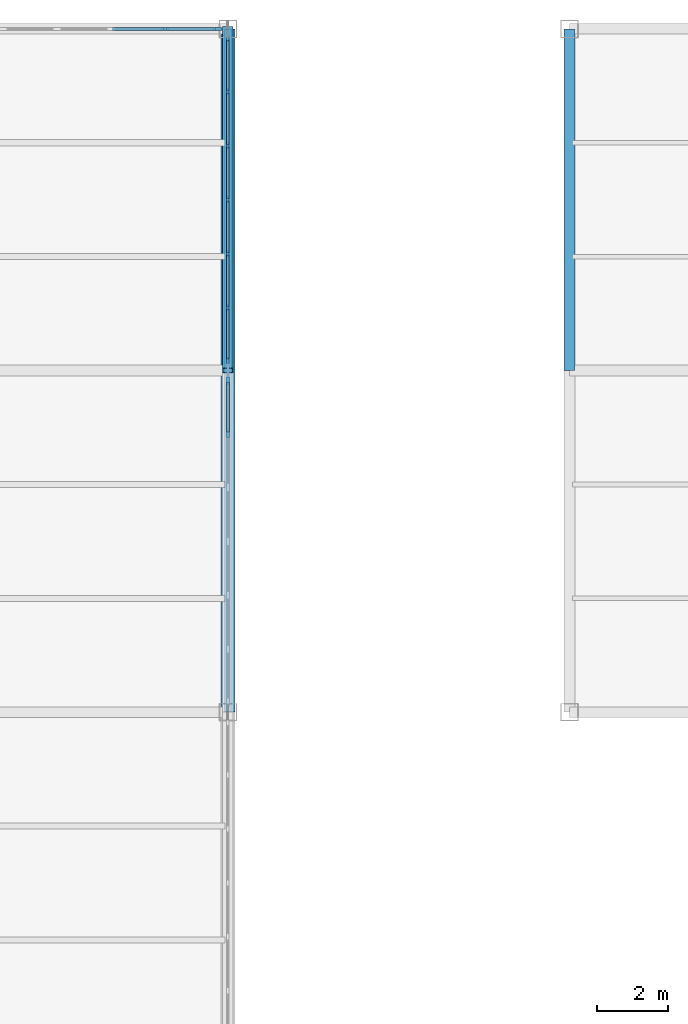
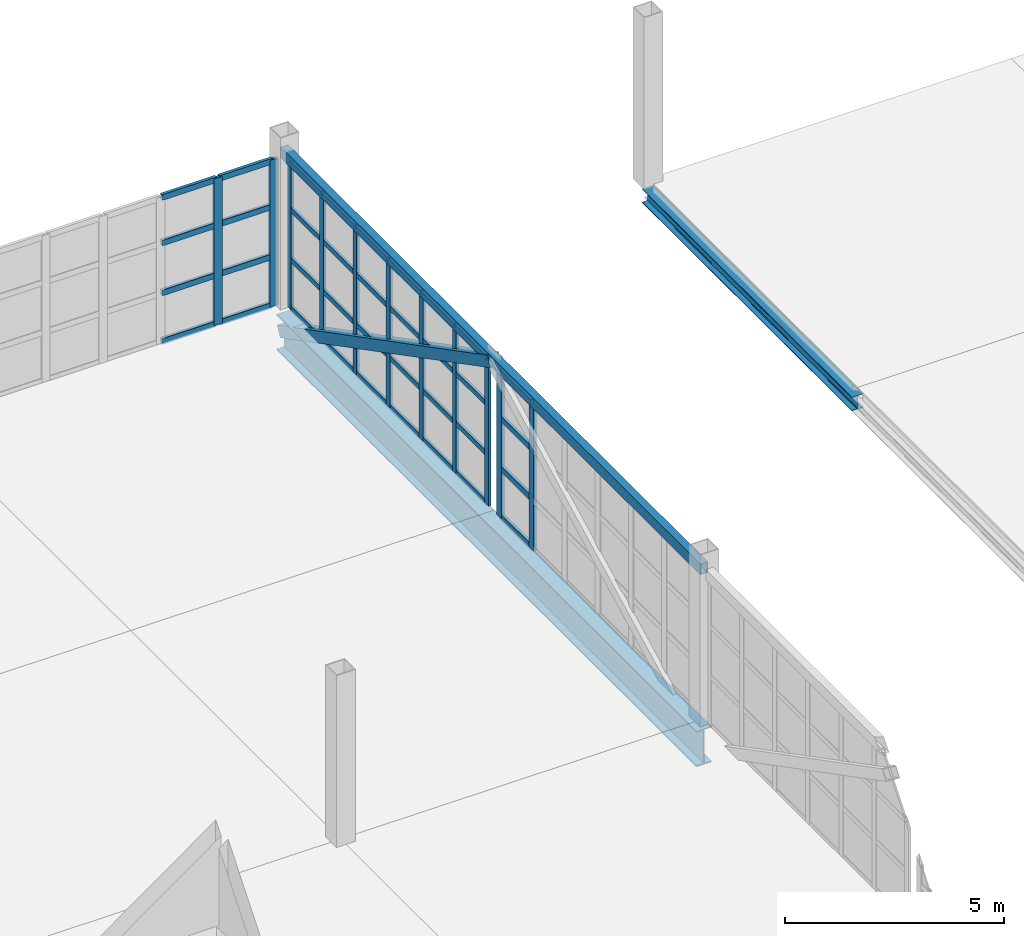
# One storey, part 57 of 120: 49 members, 2 beams, 3 elements without a shape of their own.
"""IFC4 building model written with IfcOpenShell, lengths in metres."""

from ifc_helpers import new_model, si_unit, direction, frame, origin, origin_2d, place, context, subcontext, project, spatial, rectangle, hollow_rectangle, i_section, extrude, material, layer, layer_set, material_profile, profile_set, type_object, element, aggregate, save


model = new_model("IFC4")

# Units and contexts
model_context = context("Model", 3, precision=1e-05, world=origin(), true_north=direction((0.0, 1.0)))
body_context = subcontext(model_context, "Body", "Model", "MODEL_VIEW")
ifc_project = project(units=[si_unit("LENGTHUNIT", "METRE"), si_unit("AREAUNIT", "SQUARE_METRE"), si_unit("VOLUMEUNIT", "CUBIC_METRE"), si_unit("PLANEANGLEUNIT", "RADIAN"), si_unit("MASSUNIT", "GRAM", prefix="KILO")], contexts=[model_context])

# Site, building, storey
site_placement = place(None, origin())
site = spatial("IfcSite", under=ifc_project, at=site_placement, CompositionType="ELEMENT")
building_placement = place(site_placement, origin())
building = spatial("IfcBuilding", under=site, at=building_placement, Name="Zarnetskaya Central Station", CompositionType="ELEMENT")
storey_placement = place(building_placement, frame((0.0, 0.0, 5.39990234375)))
storey = spatial("IfcBuildingStorey", under=building, at=storey_placement, Name="L01", CompositionType="ELEMENT", Elevation=5.39990234375)

# Curtain wall, members
ifc_material_1 = material(Name="Low-E insulated glass", Category="glass")
ifc_layer = layer(ifc_material_1, 0.172119140625, Name="Low-E insulated glass", Category="glass")
ifc_layer_set = layer_set([ifc_layer], Name="Low-E insulated glass")
curtain_wall_type = type_object("IfcCurtainWallType", Name="CW-SYS-09", PredefinedType="USERDEFINED", material=ifc_layer_set)
curtain_wall_1_placement = place(storey_placement, origin())
curtain_wall_1 = element("IfcCurtainWall", 1, at=curtain_wall_1_placement, inside=storey, type_object=curtain_wall_type, Name="Curtain wall CW-L01-157", ObjectType="CURTAIN WALL", PredefinedType="USERDEFINED")
ifc_material_2 = material(Name="Anodised aluminium", Category="aluminium")
ifc_material_profile_1 = material_profile(ifc_material_2, rectangle(XDim=0.070068359375, YDim=0.179931640625, at=origin_2d()), Name="ALU MULL 70x180")
ifc_profile_set_1 = profile_set([ifc_material_profile_1], Name="Anodised aluminium")
member_type_1 = type_object("IfcMemberType", Name="CW-MULL-180", PredefinedType="MULLION", material=ifc_profile_set_1)
member_1_placement = place(storey_placement, frame((115.199951171875, 124.514892578125, 0.0), z_axis=(0.0, 0.0, 1.0), x_axis=(1.0, 0.0, 0.0)))
member_1 = element("IfcMember", 2, at=member_1_placement, type_object=member_type_1, Name="CW-07 mullion 1", PredefinedType="MULLION", context=body_context, shape_type="SweptSolid", body=[
    extrude(rectangle(XDim=0.070068359375, YDim=0.179931640625, at=origin_2d()), origin(), (0.0, 0.0, 1.0), 4.10009765625),
])
member_2_placement = place(storey_placement, frame((115.199951171875, 123.033447265625, 0.0), z_axis=(0.0, 0.0, 1.0), x_axis=(1.0, 0.0, 0.0)))
member_2 = element("IfcMember", 3, at=member_2_placement, type_object=member_type_1, Name="CW-07 mullion 2", PredefinedType="MULLION", context=body_context, shape_type="SweptSolid", body=[
    extrude(rectangle(XDim=0.070068359375, YDim=0.179931640625, at=origin_2d()), origin(), (0.0, 0.0, 1.0), 4.10009765625),
])
member_3_placement = place(storey_placement, frame((115.199951171875, 121.5166015625, 0.0), z_axis=(0.0, 0.0, 1.0), x_axis=(1.0, 0.0, 0.0)))
member_3 = element("IfcMember", 4, at=member_3_placement, type_object=member_type_1, Name="CW-07 mullion 3", PredefinedType="MULLION", context=body_context, shape_type="SweptSolid", body=[
    extrude(rectangle(XDim=0.070068359375, YDim=0.179931640625, at=origin_2d()), origin(), (0.0, 0.0, 1.0), 4.10009765625),
])
member_4_placement = place(storey_placement, frame((115.199951171875, 120.0, 0.0), z_axis=(0.0, 0.0, 1.0), x_axis=(1.0, 0.0, 0.0)))
member_4 = element("IfcMember", 5, at=member_4_placement, type_object=member_type_1, Name="CW-07 mullion 4", PredefinedType="MULLION", context=body_context, shape_type="SweptSolid", body=[
    extrude(rectangle(XDim=0.070068359375, YDim=0.179931640625, at=origin_2d()), origin(), (0.0, 0.0, 1.0), 4.10009765625),
])
member_5_placement = place(storey_placement, frame((115.199951171875, 118.4833984375, 0.0), z_axis=(0.0, 0.0, 1.0), x_axis=(1.0, 0.0, 0.0)))
member_5 = element("IfcMember", 6, at=member_5_placement, type_object=member_type_1, Name="CW-07 mullion 5", PredefinedType="MULLION", context=body_context, shape_type="SweptSolid", body=[
    extrude(rectangle(XDim=0.070068359375, YDim=0.179931640625, at=origin_2d()), origin(), (0.0, 0.0, 1.0), 4.10009765625),
])
member_6_placement = place(storey_placement, frame((115.199951171875, 116.966552734375, 0.0), z_axis=(0.0, 0.0, 1.0), x_axis=(1.0, 0.0, 0.0)))
member_6 = element("IfcMember", 7, at=member_6_placement, type_object=member_type_1, Name="CW-07 mullion 6", PredefinedType="MULLION", context=body_context, shape_type="SweptSolid", body=[
    extrude(rectangle(XDim=0.070068359375, YDim=0.179931640625, at=origin_2d()), origin(), (0.0, 0.0, 1.0), 4.10009765625),
])
member_7_placement = place(storey_placement, frame((115.199951171875, 115.485107421875, 0.0), z_axis=(0.0, 0.0, 1.0), x_axis=(1.0, 0.0, 0.0)))
member_7 = element("IfcMember", 8, at=member_7_placement, type_object=member_type_1, Name="CW-07 mullion 7", PredefinedType="MULLION", context=body_context, shape_type="SweptSolid", body=[
    extrude(rectangle(XDim=0.070068359375, YDim=0.179931640625, at=origin_2d()), origin(), (0.0, 0.0, 1.0), 4.10009765625),
])

curtain_wall_2_placement = place(storey_placement, origin())
curtain_wall_2 = element("IfcCurtainWall", 9, at=curtain_wall_2_placement, inside=storey, type_object=curtain_wall_type, Name="Curtain wall CW-L01-156", ObjectType="CURTAIN WALL", PredefinedType="USERDEFINED")
ifc_material_profile_2 = material_profile(ifc_material_2, rectangle(XDim=0.080078125, YDim=0.219970703125, at=origin_2d()), Name="ALU MULL 80x220")
ifc_profile_set_2 = profile_set([ifc_material_profile_2], Name="Anodised aluminium")
member_type_2 = type_object("IfcMemberType", Name="CW-MULL-220", PredefinedType="MULLION", material=ifc_profile_set_2)
member_8_placement = place(storey_placement, frame((113.433349609375, 124.800048828125, 0.0), z_axis=(0.0, 0.0, 1.0), x_axis=(0.0, 1.0, 0.0)))
member_8 = element("IfcMember", 10, at=member_8_placement, type_object=member_type_2, Name="CW-07 mullion 6", PredefinedType="MULLION", context=body_context, shape_type="SweptSolid", body=[
    extrude(rectangle(XDim=0.080078125, YDim=0.219970703125, at=origin_2d()), origin(), (0.0, 0.0, 1.0), 4.10009765625),
])
member_9_placement = place(storey_placement, frame((114.909912109375, 124.800048828125, 0.0), z_axis=(0.0, 0.0, 1.0), x_axis=(0.0, 1.0, 0.0)))
member_9 = element("IfcMember", 11, at=member_9_placement, type_object=member_type_2, Name="CW-07 mullion 7", PredefinedType="MULLION", context=body_context, shape_type="SweptSolid", body=[
    extrude(rectangle(XDim=0.080078125, YDim=0.219970703125, at=origin_2d()), origin(), (0.0, 0.0, 1.0), 4.10009765625),
])

curtain_wall_3_placement = place(storey_placement, origin())
curtain_wall_3 = element("IfcCurtainWall", 12, at=curtain_wall_3_placement, inside=storey, type_object=curtain_wall_type, Name="Curtain wall CW-L01-158", ObjectType="CURTAIN WALL", PredefinedType="USERDEFINED")
member_10_placement = place(storey_placement, frame((115.199951171875, 114.909912109375, 0.0), z_axis=(0.0, 0.0, 1.0), x_axis=(1.0, 0.0, 0.0)))
member_10 = element("IfcMember", 13, at=member_10_placement, type_object=member_type_2, Name="CW-07 mullion 1", PredefinedType="MULLION", context=body_context, shape_type="SweptSolid", body=[
    extrude(rectangle(XDim=0.080078125, YDim=0.219970703125, at=origin_2d()), origin(), (0.0, 0.0, 1.0), 4.10009765625),
])
member_11_placement = place(storey_placement, frame((115.199951171875, 113.433349609375, 0.0), z_axis=(0.0, 0.0, 1.0), x_axis=(1.0, 0.0, 0.0)))
member_11 = element("IfcMember", 14, at=member_11_placement, type_object=member_type_2, Name="CW-07 mullion 2", PredefinedType="MULLION", context=body_context, shape_type="SweptSolid", body=[
    extrude(rectangle(XDim=0.080078125, YDim=0.219970703125, at=origin_2d()), origin(), (0.0, 0.0, 1.0), 4.10009765625),
])

# Member
ifc_material_profile_3 = material_profile(ifc_material_2, rectangle(XDim=0.070068359375, YDim=0.139892578125, at=origin_2d()), Name="ALU TRAN 70x140")
ifc_profile_set_3 = profile_set([ifc_material_profile_3], Name="Anodised aluminium")
member_type_3 = type_object("IfcMemberType", Name="CW-TRAN-140", PredefinedType="USERDEFINED", material=ifc_profile_set_3)
member_12_placement = place(storey_placement, frame((115.199951171875, 124.47998046875, 0.03515625), z_axis=(0.0, -1.0, 0.0), x_axis=(1.0, 0.0, 0.0)))
member_12 = element("IfcMember", 15, at=member_12_placement, type_object=member_type_3, Name="CW-07 transom 1.1", ObjectType="TRANSOM", PredefinedType="USERDEFINED", context=body_context, shape_type="SweptSolid", body=[
    extrude(rectangle(XDim=0.070068359375, YDim=0.139892578125, at=origin_2d()), origin(), (0.0, 0.0, 1.0), 1.41162109375),
])

member_13_placement = place(storey_placement, frame((115.199951171875, 124.47998046875, 1.39404296875), z_axis=(0.0, -1.0, 0.0), x_axis=(1.0, 0.0, 0.0)))
member_13 = element("IfcMember", 16, at=member_13_placement, type_object=member_type_3, Name="CW-07 transom 1.2", ObjectType="TRANSOM", PredefinedType="USERDEFINED", context=body_context, shape_type="SweptSolid", body=[
    extrude(rectangle(XDim=0.070068359375, YDim=0.139892578125, at=origin_2d()), origin(), (0.0, 0.0, 1.0), 1.41162109375),
])

member_14_placement = place(storey_placement, frame((115.199951171875, 124.47998046875, 2.7880859375), z_axis=(0.0, -1.0, 0.0), x_axis=(1.0, 0.0, 0.0)))
member_14 = element("IfcMember", 17, at=member_14_placement, type_object=member_type_3, Name="CW-07 transom 1.3", ObjectType="TRANSOM", PredefinedType="USERDEFINED", context=body_context, shape_type="SweptSolid", body=[
    extrude(rectangle(XDim=0.070068359375, YDim=0.139892578125, at=origin_2d()), origin(), (0.0, 0.0, 1.0), 1.41162109375),
])

member_15_placement = place(storey_placement, frame((115.199951171875, 124.47998046875, 4.065185546875), z_axis=(0.0, -1.0, 0.0), x_axis=(1.0, 0.0, 0.0)))
member_15 = element("IfcMember", 18, at=member_15_placement, type_object=member_type_3, Name="CW-07 transom 1.4", ObjectType="TRANSOM", PredefinedType="USERDEFINED", context=body_context, shape_type="SweptSolid", body=[
    extrude(rectangle(XDim=0.070068359375, YDim=0.139892578125, at=origin_2d()), origin(), (0.0, 0.0, 1.0), 1.41162109375),
])

member_16_placement = place(storey_placement, frame((115.199951171875, 122.998291015625, 0.03515625), z_axis=(0.0, -1.0, 0.0), x_axis=(1.0, 0.0, 0.0)))
member_16 = element("IfcMember", 19, at=member_16_placement, type_object=member_type_3, Name="CW-07 transom 2.1", ObjectType="TRANSOM", PredefinedType="USERDEFINED", context=body_context, shape_type="SweptSolid", body=[
    extrude(rectangle(XDim=0.070068359375, YDim=0.139892578125, at=origin_2d()), origin(), (0.0, 0.0, 1.0), 1.446533203125),
])

member_17_placement = place(storey_placement, frame((115.199951171875, 122.998291015625, 1.39404296875), z_axis=(0.0, -1.0, 0.0), x_axis=(1.0, 0.0, 0.0)))
member_17 = element("IfcMember", 20, at=member_17_placement, type_object=member_type_3, Name="CW-07 transom 2.2", ObjectType="TRANSOM", PredefinedType="USERDEFINED", context=body_context, shape_type="SweptSolid", body=[
    extrude(rectangle(XDim=0.070068359375, YDim=0.139892578125, at=origin_2d()), origin(), (0.0, 0.0, 1.0), 1.446533203125),
])

member_18_placement = place(storey_placement, frame((115.199951171875, 122.998291015625, 2.7880859375), z_axis=(0.0, -1.0, 0.0), x_axis=(1.0, 0.0, 0.0)))
member_18 = element("IfcMember", 21, at=member_18_placement, type_object=member_type_3, Name="CW-07 transom 2.3", ObjectType="TRANSOM", PredefinedType="USERDEFINED", context=body_context, shape_type="SweptSolid", body=[
    extrude(rectangle(XDim=0.070068359375, YDim=0.139892578125, at=origin_2d()), origin(), (0.0, 0.0, 1.0), 1.446533203125),
])

member_19_placement = place(storey_placement, frame((115.199951171875, 122.998291015625, 4.065185546875), z_axis=(0.0, -1.0, 0.0), x_axis=(1.0, 0.0, 0.0)))
member_19 = element("IfcMember", 22, at=member_19_placement, type_object=member_type_3, Name="CW-07 transom 2.4", ObjectType="TRANSOM", PredefinedType="USERDEFINED", context=body_context, shape_type="SweptSolid", body=[
    extrude(rectangle(XDim=0.070068359375, YDim=0.139892578125, at=origin_2d()), origin(), (0.0, 0.0, 1.0), 1.446533203125),
])

member_20_placement = place(storey_placement, frame((115.199951171875, 121.481689453125, 0.03515625), z_axis=(0.0, -1.0, 0.0), x_axis=(1.0, 0.0, 0.0)))
member_20 = element("IfcMember", 23, at=member_20_placement, type_object=member_type_3, Name="CW-07 transom 3.1", ObjectType="TRANSOM", PredefinedType="USERDEFINED", context=body_context, shape_type="SweptSolid", body=[
    extrude(rectangle(XDim=0.070068359375, YDim=0.139892578125, at=origin_2d()), origin(), (0.0, 0.0, 1.0), 1.44677734375),
])

member_21_placement = place(storey_placement, frame((115.199951171875, 121.481689453125, 1.39404296875), z_axis=(0.0, -1.0, 0.0), x_axis=(1.0, 0.0, 0.0)))
member_21 = element("IfcMember", 24, at=member_21_placement, type_object=member_type_3, Name="CW-07 transom 3.2", ObjectType="TRANSOM", PredefinedType="USERDEFINED", context=body_context, shape_type="SweptSolid", body=[
    extrude(rectangle(XDim=0.070068359375, YDim=0.139892578125, at=origin_2d()), origin(), (0.0, 0.0, 1.0), 1.44677734375),
])

member_22_placement = place(storey_placement, frame((115.199951171875, 121.481689453125, 2.7880859375), z_axis=(0.0, -1.0, 0.0), x_axis=(1.0, 0.0, 0.0)))
member_22 = element("IfcMember", 25, at=member_22_placement, type_object=member_type_3, Name="CW-07 transom 3.3", ObjectType="TRANSOM", PredefinedType="USERDEFINED", context=body_context, shape_type="SweptSolid", body=[
    extrude(rectangle(XDim=0.070068359375, YDim=0.139892578125, at=origin_2d()), origin(), (0.0, 0.0, 1.0), 1.44677734375),
])

member_23_placement = place(storey_placement, frame((115.199951171875, 121.481689453125, 4.065185546875), z_axis=(0.0, -1.0, 0.0), x_axis=(1.0, 0.0, 0.0)))
member_23 = element("IfcMember", 26, at=member_23_placement, type_object=member_type_3, Name="CW-07 transom 3.4", ObjectType="TRANSOM", PredefinedType="USERDEFINED", context=body_context, shape_type="SweptSolid", body=[
    extrude(rectangle(XDim=0.070068359375, YDim=0.139892578125, at=origin_2d()), origin(), (0.0, 0.0, 1.0), 1.44677734375),
])

member_24_placement = place(storey_placement, frame((115.199951171875, 119.965087890625, 0.03515625), z_axis=(0.0, -1.0, 0.0), x_axis=(1.0, 0.0, 0.0)))
member_24 = element("IfcMember", 27, at=member_24_placement, type_object=member_type_3, Name="CW-07 transom 4.1", ObjectType="TRANSOM", PredefinedType="USERDEFINED", context=body_context, shape_type="SweptSolid", body=[
    extrude(rectangle(XDim=0.070068359375, YDim=0.139892578125, at=origin_2d()), origin(), (0.0, 0.0, 1.0), 1.44677734375),
])

member_25_placement = place(storey_placement, frame((115.199951171875, 119.965087890625, 1.39404296875), z_axis=(0.0, -1.0, 0.0), x_axis=(1.0, 0.0, 0.0)))
member_25 = element("IfcMember", 28, at=member_25_placement, type_object=member_type_3, Name="CW-07 transom 4.2", ObjectType="TRANSOM", PredefinedType="USERDEFINED", context=body_context, shape_type="SweptSolid", body=[
    extrude(rectangle(XDim=0.070068359375, YDim=0.139892578125, at=origin_2d()), origin(), (0.0, 0.0, 1.0), 1.44677734375),
])

member_26_placement = place(storey_placement, frame((115.199951171875, 119.965087890625, 2.7880859375), z_axis=(0.0, -1.0, 0.0), x_axis=(1.0, 0.0, 0.0)))
member_26 = element("IfcMember", 29, at=member_26_placement, type_object=member_type_3, Name="CW-07 transom 4.3", ObjectType="TRANSOM", PredefinedType="USERDEFINED", context=body_context, shape_type="SweptSolid", body=[
    extrude(rectangle(XDim=0.070068359375, YDim=0.139892578125, at=origin_2d()), origin(), (0.0, 0.0, 1.0), 1.44677734375),
])

member_27_placement = place(storey_placement, frame((115.199951171875, 119.965087890625, 4.065185546875), z_axis=(0.0, -1.0, 0.0), x_axis=(1.0, 0.0, 0.0)))
member_27 = element("IfcMember", 30, at=member_27_placement, type_object=member_type_3, Name="CW-07 transom 4.4", ObjectType="TRANSOM", PredefinedType="USERDEFINED", context=body_context, shape_type="SweptSolid", body=[
    extrude(rectangle(XDim=0.070068359375, YDim=0.139892578125, at=origin_2d()), origin(), (0.0, 0.0, 1.0), 1.44677734375),
])

member_28_placement = place(storey_placement, frame((115.199951171875, 118.4482421875, 0.03515625), z_axis=(0.0, -1.0, 0.0), x_axis=(1.0, 0.0, 0.0)))
member_28 = element("IfcMember", 31, at=member_28_placement, type_object=member_type_3, Name="CW-07 transom 5.1", ObjectType="TRANSOM", PredefinedType="USERDEFINED", context=body_context, shape_type="SweptSolid", body=[
    extrude(rectangle(XDim=0.070068359375, YDim=0.139892578125, at=origin_2d()), origin(), (0.0, 0.0, 1.0), 1.446533203125),
])

member_29_placement = place(storey_placement, frame((115.199951171875, 118.4482421875, 1.39404296875), z_axis=(0.0, -1.0, 0.0), x_axis=(1.0, 0.0, 0.0)))
member_29 = element("IfcMember", 32, at=member_29_placement, type_object=member_type_3, Name="CW-07 transom 5.2", ObjectType="TRANSOM", PredefinedType="USERDEFINED", context=body_context, shape_type="SweptSolid", body=[
    extrude(rectangle(XDim=0.070068359375, YDim=0.139892578125, at=origin_2d()), origin(), (0.0, 0.0, 1.0), 1.446533203125),
])

member_30_placement = place(storey_placement, frame((115.199951171875, 118.4482421875, 2.7880859375), z_axis=(0.0, -1.0, 0.0), x_axis=(1.0, 0.0, 0.0)))
member_30 = element("IfcMember", 33, at=member_30_placement, type_object=member_type_3, Name="CW-07 transom 5.3", ObjectType="TRANSOM", PredefinedType="USERDEFINED", context=body_context, shape_type="SweptSolid", body=[
    extrude(rectangle(XDim=0.070068359375, YDim=0.139892578125, at=origin_2d()), origin(), (0.0, 0.0, 1.0), 1.446533203125),
])

member_31_placement = place(storey_placement, frame((115.199951171875, 118.4482421875, 4.065185546875), z_axis=(0.0, -1.0, 0.0), x_axis=(1.0, 0.0, 0.0)))
member_31 = element("IfcMember", 34, at=member_31_placement, type_object=member_type_3, Name="CW-07 transom 5.4", ObjectType="TRANSOM", PredefinedType="USERDEFINED", context=body_context, shape_type="SweptSolid", body=[
    extrude(rectangle(XDim=0.070068359375, YDim=0.139892578125, at=origin_2d()), origin(), (0.0, 0.0, 1.0), 1.446533203125),
])

member_32_placement = place(storey_placement, frame((115.199951171875, 116.931640625, 0.03515625), z_axis=(0.0, -1.0, 0.0), x_axis=(1.0, 0.0, 0.0)))
member_32 = element("IfcMember", 35, at=member_32_placement, type_object=member_type_3, Name="CW-07 transom 6.1", ObjectType="TRANSOM", PredefinedType="USERDEFINED", context=body_context, shape_type="SweptSolid", body=[
    extrude(rectangle(XDim=0.070068359375, YDim=0.139892578125, at=origin_2d()), origin(), (0.0, 0.0, 1.0), 1.41162109375),
])

member_33_placement = place(storey_placement, frame((115.199951171875, 116.931640625, 1.39404296875), z_axis=(0.0, -1.0, 0.0), x_axis=(1.0, 0.0, 0.0)))
member_33 = element("IfcMember", 36, at=member_33_placement, type_object=member_type_3, Name="CW-07 transom 6.2", ObjectType="TRANSOM", PredefinedType="USERDEFINED", context=body_context, shape_type="SweptSolid", body=[
    extrude(rectangle(XDim=0.070068359375, YDim=0.139892578125, at=origin_2d()), origin(), (0.0, 0.0, 1.0), 1.41162109375),
])

member_34_placement = place(storey_placement, frame((115.199951171875, 116.931640625, 2.7880859375), z_axis=(0.0, -1.0, 0.0), x_axis=(1.0, 0.0, 0.0)))
member_34 = element("IfcMember", 37, at=member_34_placement, type_object=member_type_3, Name="CW-07 transom 6.3", ObjectType="TRANSOM", PredefinedType="USERDEFINED", context=body_context, shape_type="SweptSolid", body=[
    extrude(rectangle(XDim=0.070068359375, YDim=0.139892578125, at=origin_2d()), origin(), (0.0, 0.0, 1.0), 1.41162109375),
])

member_35_placement = place(storey_placement, frame((115.199951171875, 116.931640625, 4.065185546875), z_axis=(0.0, -1.0, 0.0), x_axis=(1.0, 0.0, 0.0)))
member_35 = element("IfcMember", 38, at=member_35_placement, type_object=member_type_3, Name="CW-07 transom 6.4", ObjectType="TRANSOM", PredefinedType="USERDEFINED", context=body_context, shape_type="SweptSolid", body=[
    extrude(rectangle(XDim=0.070068359375, YDim=0.139892578125, at=origin_2d()), origin(), (0.0, 0.0, 1.0), 1.41162109375),
])

aggregate(curtain_wall_1, [member_1, member_2, member_3, member_4, member_5, member_6, member_7, member_12, member_13, member_14, member_15, member_16, member_17, member_18, member_19, member_20, member_21, member_22, member_23, member_24, member_25, member_26, member_27, member_28, member_29, member_30, member_31, member_32, member_33, member_34, member_35])

ifc_material_profile_4 = material_profile(ifc_material_2, rectangle(XDim=0.080078125, YDim=0.159912109375, at=origin_2d()), Name="ALU TRAN 80x160")
ifc_profile_set_4 = profile_set([ifc_material_profile_4], Name="Anodised aluminium")
member_type_4 = type_object("IfcMemberType", Name="CW-TRAN-160", PredefinedType="USERDEFINED", material=ifc_profile_set_4)
member_36_placement = place(storey_placement, frame((111.956787109375, 124.800048828125, 0.0400390625), z_axis=(1.0, 0.0, 0.0), x_axis=(0.0, 1.0, 0.0)))
member_36 = element("IfcMember", 39, at=member_36_placement, type_object=member_type_4, Name="CW-07 transom 5.1", ObjectType="TRANSOM", PredefinedType="USERDEFINED", context=body_context, shape_type="SweptSolid", body=[
    extrude(rectangle(XDim=0.080078125, YDim=0.159912109375, at=origin_2d()), origin(), (0.0, 0.0, 1.0), 1.4365234375),
])

member_37_placement = place(storey_placement, frame((111.956787109375, 124.800048828125, 1.39404296875), z_axis=(1.0, 0.0, 0.0), x_axis=(0.0, 1.0, 0.0)))
member_37 = element("IfcMember", 40, at=member_37_placement, type_object=member_type_4, Name="CW-07 transom 5.2", ObjectType="TRANSOM", PredefinedType="USERDEFINED", context=body_context, shape_type="SweptSolid", body=[
    extrude(rectangle(XDim=0.080078125, YDim=0.159912109375, at=origin_2d()), origin(), (0.0, 0.0, 1.0), 1.4365234375),
])

member_38_placement = place(storey_placement, frame((111.956787109375, 124.800048828125, 2.7880859375), z_axis=(1.0, 0.0, 0.0), x_axis=(0.0, 1.0, 0.0)))
member_38 = element("IfcMember", 41, at=member_38_placement, type_object=member_type_4, Name="CW-07 transom 5.3", ObjectType="TRANSOM", PredefinedType="USERDEFINED", context=body_context, shape_type="SweptSolid", body=[
    extrude(rectangle(XDim=0.080078125, YDim=0.159912109375, at=origin_2d()), origin(), (0.0, 0.0, 1.0), 1.4365234375),
])

member_39_placement = place(storey_placement, frame((111.956787109375, 124.800048828125, 4.06005859375), z_axis=(1.0, 0.0, 0.0), x_axis=(0.0, 1.0, 0.0)))
member_39 = element("IfcMember", 42, at=member_39_placement, type_object=member_type_4, Name="CW-07 transom 5.4", ObjectType="TRANSOM", PredefinedType="USERDEFINED", context=body_context, shape_type="SweptSolid", body=[
    extrude(rectangle(XDim=0.080078125, YDim=0.159912109375, at=origin_2d()), origin(), (0.0, 0.0, 1.0), 1.4365234375),
])

member_40_placement = place(storey_placement, frame((113.473388671875, 124.800048828125, 0.0400390625), z_axis=(1.0, 0.0, 0.0), x_axis=(0.0, 1.0, 0.0)))
member_40 = element("IfcMember", 43, at=member_40_placement, type_object=member_type_4, Name="CW-07 transom 6.1", ObjectType="TRANSOM", PredefinedType="USERDEFINED", context=body_context, shape_type="SweptSolid", body=[
    extrude(rectangle(XDim=0.080078125, YDim=0.159912109375, at=origin_2d()), origin(), (0.0, 0.0, 1.0), 1.396728515625),
])

member_41_placement = place(storey_placement, frame((113.473388671875, 124.800048828125, 1.39404296875), z_axis=(1.0, 0.0, 0.0), x_axis=(0.0, 1.0, 0.0)))
member_41 = element("IfcMember", 44, at=member_41_placement, type_object=member_type_4, Name="CW-07 transom 6.2", ObjectType="TRANSOM", PredefinedType="USERDEFINED", context=body_context, shape_type="SweptSolid", body=[
    extrude(rectangle(XDim=0.080078125, YDim=0.159912109375, at=origin_2d()), origin(), (0.0, 0.0, 1.0), 1.396728515625),
])

member_42_placement = place(storey_placement, frame((113.473388671875, 124.800048828125, 2.7880859375), z_axis=(1.0, 0.0, 0.0), x_axis=(0.0, 1.0, 0.0)))
member_42 = element("IfcMember", 45, at=member_42_placement, type_object=member_type_4, Name="CW-07 transom 6.3", ObjectType="TRANSOM", PredefinedType="USERDEFINED", context=body_context, shape_type="SweptSolid", body=[
    extrude(rectangle(XDim=0.080078125, YDim=0.159912109375, at=origin_2d()), origin(), (0.0, 0.0, 1.0), 1.396728515625),
])

member_43_placement = place(storey_placement, frame((113.473388671875, 124.800048828125, 4.06005859375), z_axis=(1.0, 0.0, 0.0), x_axis=(0.0, 1.0, 0.0)))
member_43 = element("IfcMember", 46, at=member_43_placement, type_object=member_type_4, Name="CW-07 transom 6.4", ObjectType="TRANSOM", PredefinedType="USERDEFINED", context=body_context, shape_type="SweptSolid", body=[
    extrude(rectangle(XDim=0.080078125, YDim=0.159912109375, at=origin_2d()), origin(), (0.0, 0.0, 1.0), 1.396728515625),
])

aggregate(curtain_wall_2, [member_8, member_9, member_36, member_37, member_38, member_39, member_40, member_41, member_42, member_43])

member_44_placement = place(storey_placement, frame((115.199951171875, 114.8701171875, 0.0400390625), z_axis=(0.0, -1.0, 0.0), x_axis=(1.0, 0.0, 0.0)))
member_44 = element("IfcMember", 47, at=member_44_placement, type_object=member_type_4, Name="CW-07 transom 1.1", ObjectType="TRANSOM", PredefinedType="USERDEFINED", context=body_context, shape_type="SweptSolid", body=[
    extrude(rectangle(XDim=0.080078125, YDim=0.159912109375, at=origin_2d()), origin(), (0.0, 0.0, 1.0), 1.396728515625),
])

member_45_placement = place(storey_placement, frame((115.199951171875, 114.8701171875, 1.39404296875), z_axis=(0.0, -1.0, 0.0), x_axis=(1.0, 0.0, 0.0)))
member_45 = element("IfcMember", 48, at=member_45_placement, type_object=member_type_4, Name="CW-07 transom 1.2", ObjectType="TRANSOM", PredefinedType="USERDEFINED", context=body_context, shape_type="SweptSolid", body=[
    extrude(rectangle(XDim=0.080078125, YDim=0.159912109375, at=origin_2d()), origin(), (0.0, 0.0, 1.0), 1.396728515625),
])

member_46_placement = place(storey_placement, frame((115.199951171875, 114.8701171875, 2.7880859375), z_axis=(0.0, -1.0, 0.0), x_axis=(1.0, 0.0, 0.0)))
member_46 = element("IfcMember", 49, at=member_46_placement, type_object=member_type_4, Name="CW-07 transom 1.3", ObjectType="TRANSOM", PredefinedType="USERDEFINED", context=body_context, shape_type="SweptSolid", body=[
    extrude(rectangle(XDim=0.080078125, YDim=0.159912109375, at=origin_2d()), origin(), (0.0, 0.0, 1.0), 1.396728515625),
])

member_47_placement = place(storey_placement, frame((115.199951171875, 114.8701171875, 4.06005859375), z_axis=(0.0, -1.0, 0.0), x_axis=(1.0, 0.0, 0.0)))
member_47 = element("IfcMember", 50, at=member_47_placement, type_object=member_type_4, Name="CW-07 transom 1.4", ObjectType="TRANSOM", PredefinedType="USERDEFINED", context=body_context, shape_type="SweptSolid", body=[
    extrude(rectangle(XDim=0.080078125, YDim=0.159912109375, at=origin_2d()), origin(), (0.0, 0.0, 1.0), 1.396728515625),
])

aggregate(curtain_wall_3, [member_10, member_11, member_44, member_45, member_46, member_47])

# Beams
ifc_material_3 = material(Name="Steel S355", Category="steel")
ifc_material_profile_5 = material_profile(ifc_material_3, i_section(OverallWidth=0.300048828125, OverallDepth=0.389892578125, WebThickness=0.010986328125, FlangeThickness=0.01904296875, FilletRadius=0.027099609375, at=origin_2d()), Name="HEA 400")
ifc_profile_set_5 = profile_set([ifc_material_profile_5], Name="Steel S355")
beam_type_1 = type_object("IfcBeamType", Name="GD-ROOF-400", PredefinedType="USERDEFINED", material=ifc_profile_set_5)
beam_1_placement = place(storey_placement, frame((124.800048828125, 115.199951171875, -0.35498046875), z_axis=(0.0, 1.0, 0.0), x_axis=(-1.0, 0.0, 0.0)))
element("IfcBeam", 51, at=beam_1_placement, inside=storey, type_object=beam_type_1, Name="Grid girder GY-L01-P-1415", ObjectType="GIRDER", PredefinedType="USERDEFINED", context=body_context, shape_type="SweptSolid", body=[
    extrude(i_section(OverallWidth=0.300048828125, OverallDepth=0.389892578125, WebThickness=0.010986328125, FlangeThickness=0.01904296875, FilletRadius=0.027099609375, at=origin_2d()), origin(), (0.0, 0.0, 1.0), 9.60009765625),
])
ifc_material_profile_6 = material_profile(ifc_material_3, i_section(OverallWidth=0.39990234375, OverallDepth=1.0, WebThickness=0.02001953125, FlangeThickness=0.031982421875, at=origin_2d()), Name="PG 1000x400x20x32")
ifc_profile_set_6 = profile_set([ifc_material_profile_6], Name="Steel S355")
beam_type_2 = type_object("IfcBeamType", Name="GD-XFER-1000", PredefinedType="USERDEFINED", material=ifc_profile_set_6)
beam_2_placement = place(storey_placement, frame((115.199951171875, 105.60009765625, -0.77978515625), z_axis=(0.0, 1.0, 0.0), x_axis=(-1.0, 0.0, 0.0)))
element("IfcBeam", 52, at=beam_2_placement, inside=storey, type_object=beam_type_2, Name="Transfer truss N 13-15 bottom chord", ObjectType="GIRDER", PredefinedType="USERDEFINED", context=body_context, shape_type="SweptSolid", body=[
    extrude(i_section(OverallWidth=0.39990234375, OverallDepth=1.0, WebThickness=0.02001953125, FlangeThickness=0.031982421875, at=origin_2d()), origin(), (0.0, 0.0, 1.0), 19.199951171875),
])

# Members
ifc_material_profile_7 = material_profile(ifc_material_3, hollow_rectangle(XDim=0.199951171875, YDim=0.300048828125, WallThickness=0.012451171875, at=origin_2d()), Name="RHS 300x200x12.5")
ifc_profile_set_7 = profile_set([ifc_material_profile_7], Name="Steel S355")
member_type_5 = type_object("IfcMemberType", Name="MB-TRUSS-TOP", PredefinedType="CHORD", material=ifc_profile_set_7)
member_48_placement = place(storey_placement, frame((115.199951171875, 105.60009765625, 4.2001953125), z_axis=(0.0, 1.0, 0.0), x_axis=(-1.0, 0.0, 0.0)))
element("IfcMember", 53, at=member_48_placement, inside=storey, type_object=member_type_5, Name="Transfer truss N 13-15 top chord", PredefinedType="CHORD", context=body_context, shape_type="SweptSolid", body=[
    extrude(hollow_rectangle(XDim=0.199951171875, YDim=0.300048828125, WallThickness=0.012451171875, at=origin_2d()), origin(), (0.0, 0.0, 1.0), 19.199951171875),
])
ifc_material_profile_8 = material_profile(ifc_material_3, hollow_rectangle(XDim=0.300048828125, YDim=0.300048828125, WallThickness=0.01611328125, at=origin_2d()), Name="SHS 300x300x16")
ifc_profile_set_8 = profile_set([ifc_material_profile_8], Name="Steel S355")
member_type_6 = type_object("IfcMemberType", Name="MB-XFER-DIAG", PredefinedType="BRACE", material=ifc_profile_set_8)
member_49_placement = place(storey_placement, frame((115.199951171875, 124.800048828125, -0.77978515625), z_axis=(0.0, -0.887673200705, 0.460473982707), x_axis=(1.0, 0.0, 0.0)))
element("IfcMember", 54, at=member_49_placement, inside=storey, type_object=member_type_6, Name="Transfer truss N 13-15 diagonal 2", PredefinedType="BRACE", context=body_context, shape_type="SweptSolid", body=[
    extrude(hollow_rectangle(XDim=0.300048828125, YDim=0.300048828125, WallThickness=0.01611328125, at=origin_2d()), origin(), (0.0, 0.0, 1.0), 10.81494140625),
])

save(model, "model.ifc")
